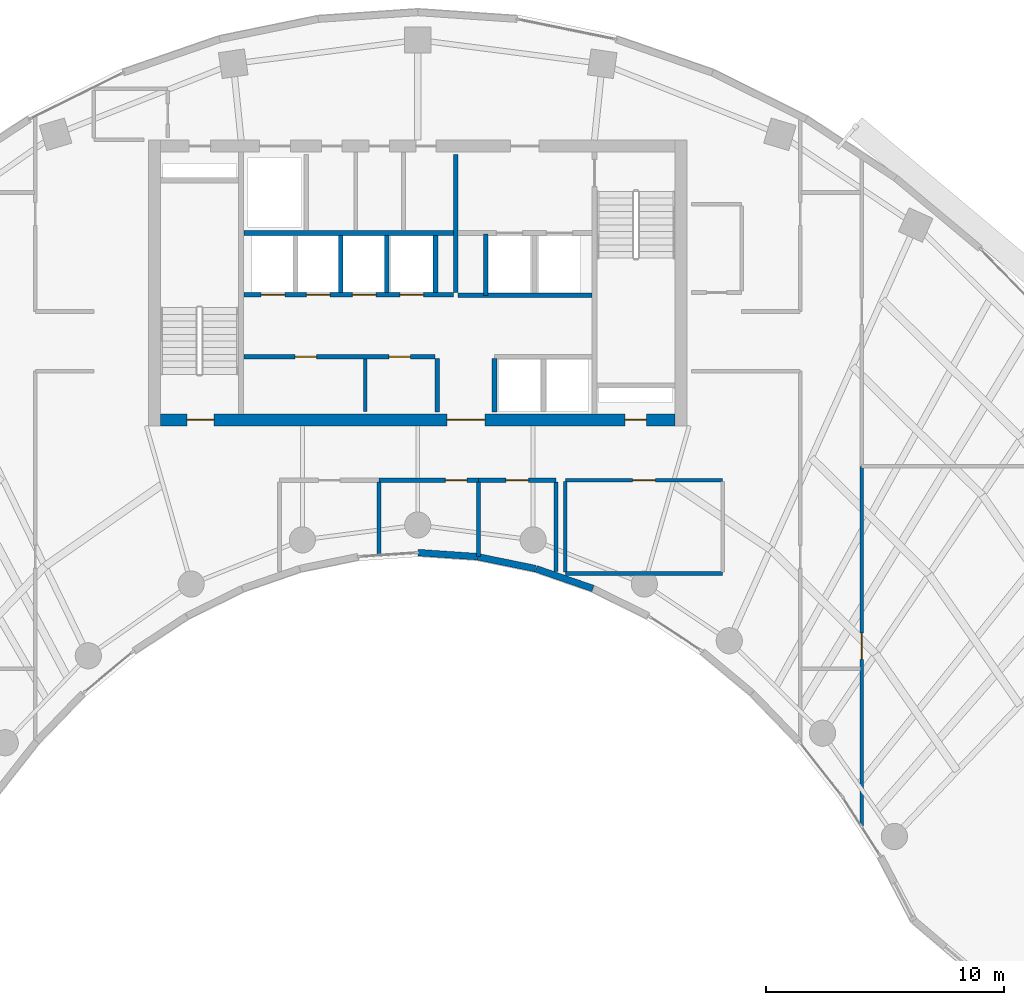
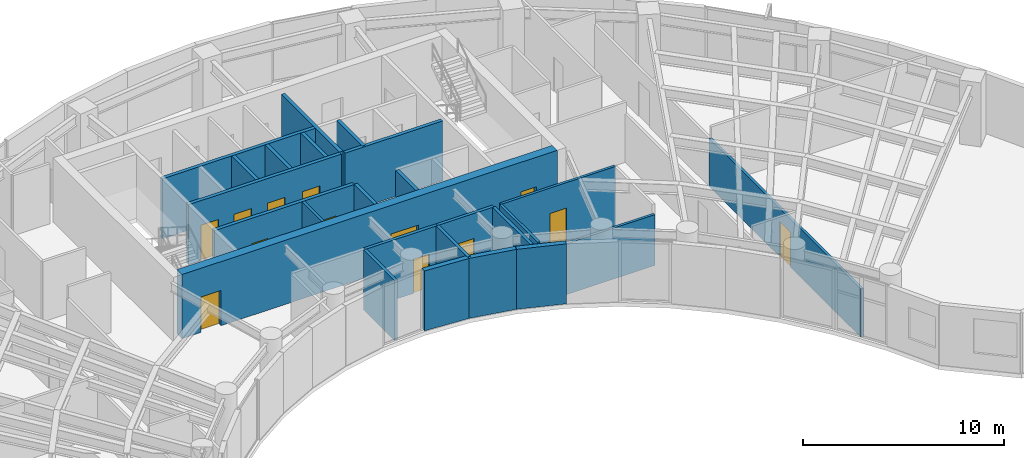
# One storey, part 8 of 13: 25 walls, 13 doors, 13 openings.
"""IFC4 building model written with IfcOpenShell, lengths in metres."""

from ifc_helpers import new_model, si_unit, direction, frame, frame_2d, origin, place, context, subcontext, project, spatial, rectangle, extrude, source, transform, mapped, material, layer, layer_set, type_object, type_shapes, element, fill, save


model = new_model("IFC4")

# Units and contexts
model_context = context("Model", 3, precision=1e-05, world=origin(), true_north=direction((0.0, 1.0)))
body_context = subcontext(model_context, "Body", "Model", "MODEL_VIEW")
ifc_project = project(units=[si_unit("LENGTHUNIT", "METRE"), si_unit("AREAUNIT", "SQUARE_METRE"), si_unit("VOLUMEUNIT", "CUBIC_METRE"), si_unit("PLANEANGLEUNIT", "RADIAN"), si_unit("MASSUNIT", "GRAM", prefix="KILO")], contexts=[model_context])

# Site, building, storey
site_placement = place(None, origin())
site = spatial("IfcSite", under=ifc_project, at=site_placement, CompositionType="ELEMENT")
building_placement = place(site_placement, origin())
building = spatial("IfcBuilding", under=site, at=building_placement, Name="Breltana Convention Tower", CompositionType="ELEMENT")
storey_placement = place(building_placement, frame((0.0, 0.0, 142.800048828125)))
storey = spatial("IfcBuildingStorey", under=building, at=storey_placement, Name="L34", CompositionType="ELEMENT", Elevation=142.800048828125)

# Wall, openings, doors
ifc_material_1 = material(Name="Concrete C60/75", Category="concrete")
ifc_layer_1 = layer(ifc_material_1, 0.5, Name="Concrete C60/75")
ifc_layer_set_1 = layer_set([ifc_layer_1], Name="Concrete C60/75")
wall_type_1 = type_object("IfcWallType", Name="SW-CORE-500", PredefinedType="SHEAR", material=ifc_layer_set_1)
shared_shape_1 = source(origin(), body_context, "Body", "SweptSolid", [
    extrude(rectangle(XDim=21.60009765625, YDim=0.5, at=frame_2d((10.800048828125, 0.0))), origin(), (0.0, 0.0, 1.0), 3.89990234375),
])
wall_1_placement = place(storey_placement, frame((37.199951171875, 60.449951171875, 0.0), z_axis=(0.0, 0.0, 1.0), x_axis=(1.0, 0.0, 0.0)))
wall_1 = element("IfcWall", 1, at=wall_1_placement, inside=storey, type_object=wall_type_1, Name="L34 South Core Shear Wall", PredefinedType="SHEAR", context=body_context, shape_type="MappedRepresentation", body=[
    mapped(shared_shape_1, transform((0.0, 0.0, 0.0), scale=1.0)),
])
opening_1_placement = place(wall_1_placement, frame((1.10009765625, 0.0, 0.0)))
opening_1 = element("IfcOpeningElement", 2, at=opening_1_placement, cuts=wall_1, Name="Opening D-11", PredefinedType="OPENING", context=body_context, shape_type="SweptSolid", body=[
    extrude(rectangle(XDim=1.14990234375, YDim=2.14990234375, at=frame_2d((0.574951171875, 1.074951171875))), frame((0.0, 0.260009765625, 0.0), z_axis=(0.0, -1.0, 0.0), x_axis=(1.0, 0.0, 0.0)), (0.0, 0.0, 1.0), 0.52001953125),
])
opening_2_placement = place(wall_1_placement, frame((19.5, 0.0, 0.0)))
opening_2 = element("IfcOpeningElement", 3, at=opening_2_placement, cuts=wall_1, Name="Opening D-18", PredefinedType="OPENING", context=body_context, shape_type="SweptSolid", body=[
    extrude(rectangle(XDim=0.89990234375, YDim=2.10009765625, at=frame_2d((0.449951171875, 1.050048828125))), frame((0.0, 0.260009765625, 0.0), z_axis=(0.0, -1.0, 0.0), x_axis=(1.0, 0.0, 0.0)), (0.0, 0.0, 1.0), 0.52001953125),
])
opening_3_placement = place(wall_1_placement, frame((12.02001953125, 0.0, 0.0)))
opening_3 = element("IfcOpeningElement", 4, at=opening_3_placement, cuts=wall_1, Name="Opening D-02", PredefinedType="OPENING", context=body_context, shape_type="SweptSolid", body=[
    extrude(rectangle(XDim=1.60009765625, YDim=2.14990234375, at=frame_2d((0.800048828125, 1.074951171875))), frame((0.0, 0.260009765625, 0.0), z_axis=(0.0, -1.0, 0.0), x_axis=(1.0, 0.0, 0.0)), (0.0, 0.0, 1.0), 0.52001953125),
])
ifc_material_2 = material(Name="Steel Stair Exit Door", Category="steel")
door_type_1 = type_object("IfcDoorType", Name="DR-FD120-1150", OperationType="NOTDEFINED", PredefinedType="DOOR", material=ifc_material_2)
shared_shape_2 = source(origin(), body_context, "Body", "SweptSolid", [
    extrude(rectangle(XDim=1.14990234375, YDim=2.14990234375, at=frame_2d((0.574951171875, 1.074951171875))), frame((0.0, 0.02490234375, 0.0), z_axis=(0.0, -1.0, 0.0), x_axis=(1.0, 0.0, 0.0)), (0.0, 0.0, 1.0), 0.050048828125),
])
type_shapes(door_type_1, [shared_shape_2])
door_1_placement = place(opening_1_placement, origin())
door_1 = element("IfcDoor", 5, at=door_1_placement, inside=storey, type_object=door_type_1, Name="L34 interior door D-L34-ST1", OperationType="SINGLE_SWING_LEFT", OverallHeight=2.14990234375, OverallWidth=1.14990234375, PredefinedType="DOOR", context=body_context, shape_type="MappedRepresentation", body=[
    mapped(shared_shape_2, transform((0.0, 0.0, 0.0), scale=1.0)),
])
fill(opening_1, door_1)
ifc_material_3 = material(Name="Steel Riser Fire Door", Category="steel")
door_type_2 = type_object("IfcDoorType", Name="DR-FD60-900", OperationType="NOTDEFINED", PredefinedType="DOOR", material=ifc_material_3)
shared_shape_3 = source(origin(), body_context, "Body", "SweptSolid", [
    extrude(rectangle(XDim=0.89990234375, YDim=2.10009765625, at=frame_2d((0.449951171875, 1.050048828125))), frame((0.0, 0.02490234375, 0.0), z_axis=(0.0, -1.0, 0.0), x_axis=(1.0, 0.0, 0.0)), (0.0, 0.0, 1.0), 0.050048828125),
])
type_shapes(door_type_2, [shared_shape_3])
door_2_placement = place(opening_2_placement, origin())
door_2 = element("IfcDoor", 6, at=door_2_placement, inside=storey, type_object=door_type_2, Name="L34 Core Riser Access Door D-L34-RS2", OperationType="SINGLE_SWING_RIGHT", OverallHeight=2.10009765625, OverallWidth=0.89990234375, PredefinedType="DOOR", context=body_context, shape_type="MappedRepresentation", body=[
    mapped(shared_shape_3, transform((0.0, 0.0, 0.0), scale=1.0)),
])
fill(opening_2, door_2)
ifc_material_4 = material(Name="Steel Glazed Smoke-Control Door", Category="steel")
door_type_3 = type_object("IfcDoorType", Name="DR-DBL-FD90-1600", OperationType="DOUBLE_DOOR_SINGLE_SWING", PredefinedType="DOOR", material=ifc_material_4)
shared_shape_4 = source(origin(), body_context, "Body", "SweptSolid", [
    extrude(rectangle(XDim=1.60009765625, YDim=2.14990234375, at=frame_2d((0.800048828125, 1.074951171875))), frame((0.0, 0.02490234375, 0.0), z_axis=(0.0, -1.0, 0.0), x_axis=(1.0, 0.0, 0.0)), (0.0, 0.0, 1.0), 0.050048828125),
])
type_shapes(door_type_3, [shared_shape_4])
door_3_placement = place(opening_3_placement, origin())
door_3 = element("IfcDoor", 7, at=door_3_placement, inside=storey, type_object=door_type_3, Name="L34 interior door D-L34-LLB-S", OperationType="DOUBLE_DOOR_SINGLE_SWING", OverallHeight=2.14990234375, OverallWidth=1.60009765625, PredefinedType="DOOR", context=body_context, shape_type="MappedRepresentation", body=[
    mapped(shared_shape_4, transform((0.0, 0.0, 0.0), scale=1.0)),
])
fill(opening_3, door_3)

# Walls
ifc_material_5 = material(Name="Limestone Buff Insulated Wall", Category="masonry")
ifc_layer_2 = layer(ifc_material_5, 0.280029296875, Name="Limestone Buff Insulated Wall")
ifc_layer_set_2 = layer_set([ifc_layer_2], Name="Limestone Buff Insulated Wall")
wall_type_2 = type_object("IfcWallType", Name="WL-EXT-NOSE-280", PredefinedType="SOLIDWALL", material=ifc_layer_set_2)
shared_shape_5 = source(origin(), body_context, "Body", "SweptSolid", [
    extrude(rectangle(XDim=2.52978515625, YDim=0.280029296875, at=frame_2d((1.264892578125, 0.0))), origin(), (0.0, 0.0, 1.0), 3.64990234375),
])
wall_2_placement = place(storey_placement, frame((55.35546875, 53.369873046875, 0.0), z_axis=(0.0, 0.0, 1.0), x_axis=(-0.944872429646, 0.327438683872, 0.0)))
element("IfcWall", 8, at=wall_2_placement, inside=storey, type_object=wall_type_2, Name="L34 curved limestone nose wall E10", PredefinedType="SOLIDWALL", context=body_context, shape_type="MappedRepresentation", body=[
    mapped(shared_shape_5, transform((0.0, 0.0, 0.0), scale=1.0)),
])
shared_shape_6 = source(origin(), body_context, "Body", "SweptSolid", [
    extrude(rectangle(XDim=2.4912109375, YDim=0.280029296875, at=frame_2d((1.24560546875, 0.0))), origin(), (0.0, 0.0, 1.0), 3.64990234375),
])
wall_3_placement = place(storey_placement, frame((52.9423828125, 54.20458984375, 0.0), z_axis=(0.0, 0.0, 1.0), x_axis=(-0.979630885979, 0.200806691214, 0.0)))
element("IfcWall", 9, at=wall_3_placement, inside=storey, type_object=wall_type_2, Name="L34 curved limestone nose wall E11", PredefinedType="SOLIDWALL", context=body_context, shape_type="MappedRepresentation", body=[
    mapped(shared_shape_6, transform((0.0, 0.0, 0.0), scale=1.0)),
])
shared_shape_7 = source(origin(), body_context, "Body", "SweptSolid", [
    extrude(rectangle(XDim=2.471435546875, YDim=0.280029296875, at=frame_2d((1.23583984375, 0.0))), origin(), (0.0, 0.0, 1.0), 3.64990234375),
])
wall_4_placement = place(storey_placement, frame((50.47802734375, 54.708251953125, 0.0), z_axis=(0.0, 0.0, 1.0), x_axis=(-0.997708006929, 0.067666335123, 0.0)))
element("IfcWall", 10, at=wall_4_placement, inside=storey, type_object=wall_type_2, Name="L34 curved limestone nose wall E12", PredefinedType="SOLIDWALL", context=body_context, shape_type="MappedRepresentation", body=[
    mapped(shared_shape_7, transform((0.0, 0.0, 0.0), scale=1.0)),
])
ifc_material_6 = material(Name="Autoclaved Aerated Concrete Block", Category="concrete")
ifc_layer_3 = layer(ifc_material_6, 0.199951171875, Name="Autoclaved Aerated Concrete Block")
ifc_layer_set_3 = layer_set([ifc_layer_3], Name="Autoclaved Aerated Concrete Block")
wall_type_3 = type_object("IfcWallType", Name="WL-SHAFT-200", PredefinedType="SOLIDWALL", material=ifc_layer_set_3)
shared_shape_8 = source(origin(), body_context, "Body", "SweptSolid", [
    extrude(rectangle(XDim=2.239990234375, YDim=0.199951171875, at=frame_2d((1.1201171875, 0.0))), origin(), (0.0, 0.0, 1.0), 3.64990234375),
])
for number, where, z_axis, x_axis, name in (
    (11, (48.820068359375, 60.780029296875, 0.0), (0.0, 0.0, 1.0), (0.0, 1.0, 0.0), "L34 interior partition W-L34-PORT-W"),
    (12, (51.219970703125, 60.780029296875, 0.0), (0.0, 0.0, 1.0), (0.0, 1.0, 0.0), "L34 interior partition W-L34-PORT-E"),
):
    element("IfcWall", number, at=place(storey_placement, frame(where, z_axis=z_axis, x_axis=x_axis)), inside=storey, type_object=wall_type_3, Name=name, PredefinedType="SOLIDWALL", context=body_context, shape_type="MappedRepresentation", body=[
        mapped(shared_shape_8, transform((0.0, 0.0, 0.0), scale=1.0)),
    ])
shared_shape_9 = source(origin(), body_context, "Body", "SweptSolid", [
    extrude(rectangle(XDim=5.6201171875, YDim=0.199951171875, at=frame_2d((2.81005859375, 0.0))), origin(), (0.0, 0.0, 1.0), 3.64990234375),
])
wall_5_placement = place(storey_placement, frame((49.699951171875, 65.679931640625, 0.0), z_axis=(0.0, 0.0, 1.0), x_axis=(1.0, 0.0, 0.0)))
element("IfcWall", 13, at=wall_5_placement, inside=storey, type_object=wall_type_3, Name="L34 interior partition W-L34-FL-S", PredefinedType="SOLIDWALL", context=body_context, shape_type="MappedRepresentation", body=[
    mapped(shared_shape_9, transform((0.0, 0.0, 0.0), scale=1.0)),
])
shared_shape_10 = source(origin(), body_context, "Body", "SweptSolid", [
    extrude(rectangle(XDim=5.800048828125, YDim=0.199951171875, at=frame_2d((2.89990234375, 0.0))), origin(), (0.0, 0.0, 1.0), 3.64990234375),
])
wall_6_placement = place(storey_placement, frame((49.60009765625, 65.800048828125, 0.0), z_axis=(0.0, 0.0, 1.0), x_axis=(0.0, 1.0, 0.0)))
element("IfcWall", 14, at=wall_6_placement, inside=storey, type_object=wall_type_3, Name="L34 interior partition W-L34-FFL-W", PredefinedType="SOLIDWALL", context=body_context, shape_type="MappedRepresentation", body=[
    mapped(shared_shape_10, transform((0.0, 0.0, 0.0), scale=1.0)),
])
shared_shape_11 = source(origin(), body_context, "Body", "SweptSolid", [
    extrude(rectangle(XDim=2.580078125, YDim=0.199951171875, at=frame_2d((1.2900390625, 0.0))), origin(), (0.0, 0.0, 1.0), 3.64990234375),
])
wall_7_placement = place(storey_placement, frame((50.85009765625, 65.679931640625, 0.0), z_axis=(0.0, 0.0, 1.0), x_axis=(0.0, 1.0, 0.0)))
element("IfcWall", 15, at=wall_7_placement, inside=storey, type_object=wall_type_3, Name="L34 interior partition W-L34-FL-W", PredefinedType="SOLIDWALL", context=body_context, shape_type="MappedRepresentation", body=[
    mapped(shared_shape_11, transform((0.0, 0.0, 0.0), scale=1.0)),
])
shared_shape_12 = source(origin(), body_context, "Body", "SweptSolid", [
    extrude(rectangle(XDim=2.39990234375, YDim=0.199951171875, at=frame_2d((1.199951171875, 0.0))), origin(), (0.0, 0.0, 1.0), 3.64990234375),
])
for number, where, z_axis, x_axis, name in (
    (16, (48.75, 65.800048828125, 0.0), (0.0, 0.0, 1.0), (0.0, 1.0, 0.0), "L34 interior partition W-L34-SH-M-END"),
    (17, (44.77001953125, 65.800048828125, 0.0), (0.0, 0.0, 1.0), (0.0, 1.0, 0.0), "L34 interior partition W-L34-SH-M-DIV2"),
    (18, (46.699951171875, 65.800048828125, 0.0), (0.0, 0.0, 1.0), (0.0, 1.0, 0.0), "L34 interior partition W-L34-SH-M-DIV3"),
):
    element("IfcWall", number, at=place(storey_placement, frame(where, z_axis=z_axis, x_axis=x_axis)), inside=storey, type_object=wall_type_3, Name=name, PredefinedType="SOLIDWALL", context=body_context, shape_type="MappedRepresentation", body=[
        mapped(shared_shape_12, transform((0.0, 0.0, 0.0), scale=1.0)),
    ])
shared_shape_13 = source(origin(), body_context, "Body", "SweptSolid", [
    extrude(rectangle(XDim=8.800048828125, YDim=0.199951171875, at=frame_2d((4.39990234375, 0.0))), origin(), (0.0, 0.0, 1.0), 3.64990234375),
])
wall_8_placement = place(storey_placement, frame((40.699951171875, 68.300048828125, 0.0), z_axis=(0.0, 0.0, 1.0), x_axis=(1.0, 0.0, 0.0)))
element("IfcWall", 19, at=wall_8_placement, inside=storey, type_object=wall_type_3, Name="L34 interior partition W-L34-SV-S", PredefinedType="SOLIDWALL", context=body_context, shape_type="MappedRepresentation", body=[
    mapped(shared_shape_13, transform((0.0, 0.0, 0.0), scale=1.0)),
])

# Wall, openings, doors
wall_9_placement = place(storey_placement, frame((40.699951171875, 65.699951171875, 0.0), z_axis=(0.0, 0.0, 1.0), x_axis=(1.0, 0.0, 0.0)))
wall_9 = element("IfcWall", 20, at=wall_9_placement, inside=storey, type_object=wall_type_3, Name="L34 interior partition W-L34-SH-M-FRONT", PredefinedType="SOLIDWALL", context=body_context, shape_type="MappedRepresentation", body=[
    mapped(shared_shape_13, transform((0.0, 0.0, 0.0), scale=1.0)),
])
opening_4_placement = place(wall_9_placement, frame((0.719970703125, 0.0, 0.0)))
opening_4 = element("IfcOpeningElement", 21, at=opening_4_placement, cuts=wall_9, Name="Opening LD-04", PredefinedType="OPENING", context=body_context, shape_type="SweptSolid", body=[
    extrude(rectangle(XDim=1.0, YDim=2.14990234375, at=frame_2d((0.5, 1.074951171875))), frame((0.0, 0.10986328125, 0.0), z_axis=(0.0, -1.0, 0.0), x_axis=(1.0, 0.0, 0.0)), (0.0, 0.0, 1.0), 0.219970703125),
])
opening_5_placement = place(wall_9_placement, frame((2.6201171875, 0.0, 0.0)))
opening_5 = element("IfcOpeningElement", 22, at=opening_5_placement, cuts=wall_9, Name="Opening LD-04", PredefinedType="OPENING", context=body_context, shape_type="SweptSolid", body=[
    extrude(rectangle(XDim=1.0, YDim=2.14990234375, at=frame_2d((0.5, 1.074951171875))), frame((0.0, 0.10986328125, 0.0), z_axis=(0.0, -1.0, 0.0), x_axis=(1.0, 0.0, 0.0)), (0.0, 0.0, 1.0), 0.219970703125),
])
opening_6_placement = place(wall_9_placement, frame((4.550048828125, 0.0, 0.0)))
opening_6 = element("IfcOpeningElement", 23, at=opening_6_placement, cuts=wall_9, Name="Opening LD-04", PredefinedType="OPENING", context=body_context, shape_type="SweptSolid", body=[
    extrude(rectangle(XDim=1.0, YDim=2.14990234375, at=frame_2d((0.5, 1.074951171875))), frame((0.0, 0.10986328125, 0.0), z_axis=(0.0, -1.0, 0.0), x_axis=(1.0, 0.0, 0.0)), (0.0, 0.0, 1.0), 0.219970703125),
])
opening_7_placement = place(wall_9_placement, frame((6.550048828125, 0.0, 0.0)))
opening_7 = element("IfcOpeningElement", 24, at=opening_7_placement, cuts=wall_9, Name="Opening LD-04", PredefinedType="OPENING", context=body_context, shape_type="SweptSolid", body=[
    extrude(rectangle(XDim=1.0, YDim=2.14990234375, at=frame_2d((0.5, 1.074951171875))), frame((0.0, 0.10986328125, 0.0), z_axis=(0.0, -1.0, 0.0), x_axis=(1.0, 0.0, 0.0)), (0.0, 0.0, 1.0), 0.219970703125),
])
ifc_material_7 = material(Name="Stainless Steel Brushed", Category="steel")
door_type_4 = type_object("IfcDoorType", Name="DR-LD-PAX-1000", OperationType="DOUBLE_DOOR_SLIDING", PredefinedType="DOOR", material=ifc_material_7)
shared_shape_14 = source(origin(), body_context, "Body", "SweptSolid", [
    extrude(rectangle(XDim=1.0, YDim=2.14990234375, at=frame_2d((0.5, 1.074951171875))), frame((0.0, 0.02490234375, 0.0), z_axis=(0.0, -1.0, 0.0), x_axis=(1.0, 0.0, 0.0)), (0.0, 0.0, 1.0), 0.050048828125),
])
type_shapes(door_type_4, [shared_shape_14])
door_4_placement = place(opening_4_placement, origin())
door_4 = element("IfcDoor", 25, at=door_4_placement, inside=storey, type_object=door_type_4, Name="L34 Lift Landing Door D-L34-LD-M1", OperationType="DOUBLE_DOOR_SLIDING", OverallHeight=2.14990234375, OverallWidth=1.0, PredefinedType="DOOR", context=body_context, shape_type="MappedRepresentation", body=[
    mapped(shared_shape_14, transform((0.0, 0.0, 0.0), scale=1.0)),
])
fill(opening_4, door_4)
door_5_placement = place(opening_5_placement, origin())
door_5 = element("IfcDoor", 26, at=door_5_placement, inside=storey, type_object=door_type_4, Name="L34 Lift Landing Door D-L34-LD-M2", OperationType="DOUBLE_DOOR_SLIDING", OverallHeight=2.14990234375, OverallWidth=1.0, PredefinedType="DOOR", context=body_context, shape_type="MappedRepresentation", body=[
    mapped(shared_shape_14, transform((0.0, 0.0, 0.0), scale=1.0)),
])
fill(opening_5, door_5)
door_6_placement = place(opening_6_placement, origin())
door_6 = element("IfcDoor", 27, at=door_6_placement, inside=storey, type_object=door_type_4, Name="L34 Lift Landing Door D-L34-LD-M3", OperationType="DOUBLE_DOOR_SLIDING", OverallHeight=2.14990234375, OverallWidth=1.0, PredefinedType="DOOR", context=body_context, shape_type="MappedRepresentation", body=[
    mapped(shared_shape_14, transform((0.0, 0.0, 0.0), scale=1.0)),
])
fill(opening_6, door_6)
door_7_placement = place(opening_7_placement, origin())
door_7 = element("IfcDoor", 28, at=door_7_placement, inside=storey, type_object=door_type_4, Name="L34 Lift Landing Door D-L34-LD-M4", OperationType="DOUBLE_DOOR_SLIDING", OverallHeight=2.14990234375, OverallWidth=1.0, PredefinedType="DOOR", context=body_context, shape_type="MappedRepresentation", body=[
    mapped(shared_shape_14, transform((0.0, 0.0, 0.0), scale=1.0)),
])
fill(opening_7, door_7)

shared_shape_15 = source(origin(), body_context, "Body", "SweptSolid", [
    extrude(rectangle(XDim=8.02001953125, YDim=0.199951171875, at=frame_2d((4.010009765625, 0.0))), origin(), (0.0, 0.0, 1.0), 3.64990234375),
])
wall_10_placement = place(storey_placement, frame((40.699951171875, 63.10009765625, 0.0), z_axis=(0.0, 0.0, 1.0), x_axis=(1.0, 0.0, 0.0)))
wall_10 = element("IfcWall", 29, at=wall_10_placement, inside=storey, type_object=wall_type_3, Name="L34 interior partition W-L34-SH-S-FRONT", PredefinedType="SOLIDWALL", context=body_context, shape_type="MappedRepresentation", body=[
    mapped(shared_shape_15, transform((0.0, 0.0, 0.0), scale=1.0)),
])
opening_8_placement = place(wall_10_placement, frame((2.14990234375, 0.0, 0.0)))
opening_8 = element("IfcOpeningElement", 30, at=opening_8_placement, cuts=wall_10, Name="Opening D-18", PredefinedType="OPENING", context=body_context, shape_type="SweptSolid", body=[
    extrude(rectangle(XDim=0.89990234375, YDim=2.10009765625, at=frame_2d((0.449951171875, 1.050048828125))), frame((0.0, 0.10986328125, 0.0), z_axis=(0.0, -1.0, 0.0), x_axis=(1.0, 0.0, 0.0)), (0.0, 0.0, 1.0), 0.219970703125),
])
opening_9_placement = place(wall_10_placement, frame((6.090087890625, 0.0, 0.0)))
opening_9 = element("IfcOpeningElement", 31, at=opening_9_placement, cuts=wall_10, Name="Opening D-18", PredefinedType="OPENING", context=body_context, shape_type="SweptSolid", body=[
    extrude(rectangle(XDim=0.89990234375, YDim=2.10009765625, at=frame_2d((0.449951171875, 1.050048828125))), frame((0.0, 0.10986328125, 0.0), z_axis=(0.0, -1.0, 0.0), x_axis=(1.0, 0.0, 0.0)), (0.0, 0.0, 1.0), 0.219970703125),
])
door_8_placement = place(opening_8_placement, origin())
door_8 = element("IfcDoor", 32, at=door_8_placement, inside=storey, type_object=door_type_2, Name="L34 interior door D-L34-LV7-B1A", OperationType="SINGLE_SWING_LEFT", OverallHeight=2.10009765625, OverallWidth=0.89990234375, PredefinedType="DOOR", context=body_context, shape_type="MappedRepresentation", body=[
    mapped(shared_shape_3, transform((0.0, 0.0, 0.0), scale=1.0)),
])
fill(opening_8, door_8)
door_9_placement = place(opening_9_placement, origin())
door_9 = element("IfcDoor", 33, at=door_9_placement, inside=storey, type_object=door_type_2, Name="L34 interior door D-L34-LV7-B1B", OperationType="SINGLE_SWING_RIGHT", OverallHeight=2.10009765625, OverallWidth=0.89990234375, PredefinedType="DOOR", context=body_context, shape_type="MappedRepresentation", body=[
    mapped(shared_shape_3, transform((0.0, 0.0, 0.0), scale=1.0)),
])
fill(opening_9, door_9)

# Wall, opening, door
ifc_material_8 = material(Name="Moisture-Resistant Gypsum Chase Wall")
ifc_layer_4 = layer(ifc_material_8, 0.179931640625, Name="Moisture-Resistant Gypsum Chase Wall")
ifc_layer_set_4 = layer_set([ifc_layer_4], Name="Moisture-Resistant Gypsum Chase Wall")
wall_type_4 = type_object("IfcWallType", Name="WL-PLUMB-180", PredefinedType="PLUMBINGWALL", material=ifc_layer_set_4)
shared_shape_16 = source(origin(), body_context, "Body", "SweptSolid", [
    extrude(rectangle(XDim=4.176025390625, YDim=0.179931640625, at=frame_2d((2.087890625, 0.0))), origin(), (0.0, 0.0, 1.0), 3.64990234375),
])
wall_11_placement = place(storey_placement, frame((46.3759765625, 57.919921875, 0.0), z_axis=(0.0, 0.0, 1.0), x_axis=(1.0, 0.0, 0.0)))
wall_11 = element("IfcWall", 34, at=wall_11_placement, inside=storey, type_object=wall_type_4, Name="L34 interior partition W-L34-WCF-N", PredefinedType="PLUMBINGWALL", context=body_context, shape_type="MappedRepresentation", body=[
    mapped(shared_shape_16, transform((0.0, 0.0, 0.0), scale=1.0)),
])
opening_10_placement = place(wall_11_placement, frame((2.7880859375, 0.0, 0.0)))
opening_10 = element("IfcOpeningElement", 35, at=opening_10_placement, cuts=wall_11, Name="Opening D-19", PredefinedType="OPENING", context=body_context, shape_type="SweptSolid", body=[
    extrude(rectangle(XDim=0.89990234375, YDim=2.080078125, at=frame_2d((0.449951171875, 1.0400390625))), frame((0.0, 0.10009765625, 0.0), z_axis=(0.0, -1.0, 0.0), x_axis=(1.0, 0.0, 0.0)), (0.0, 0.0, 1.0), 0.199951171875),
])
ifc_material_9 = material(Name="Timber Moisture-Resistant Door", Category="wood")
door_type_5 = type_object("IfcDoorType", Name="DR-WC-900", OperationType="NOTDEFINED", PredefinedType="DOOR", material=ifc_material_9)
shared_shape_17 = source(origin(), body_context, "Body", "SweptSolid", [
    extrude(rectangle(XDim=0.89990234375, YDim=2.080078125, at=frame_2d((0.449951171875, 1.0400390625))), frame((0.0, 0.02490234375, 0.0), z_axis=(0.0, -1.0, 0.0), x_axis=(1.0, 0.0, 0.0)), (0.0, 0.0, 1.0), 0.050048828125),
])
type_shapes(door_type_5, [shared_shape_17])
door_10_placement = place(opening_10_placement, origin())
door_10 = element("IfcDoor", 36, at=door_10_placement, inside=storey, type_object=door_type_5, Name="L34 interior door D-L34-WCF", OperationType="SINGLE_SWING_RIGHT", OverallHeight=2.080078125, OverallWidth=0.89990234375, PredefinedType="DOOR", context=body_context, shape_type="MappedRepresentation", body=[
    mapped(shared_shape_17, transform((0.0, 0.0, 0.0), scale=1.0)),
])
fill(opening_10, door_10)

# Wall
ifc_material_10 = material(Name="Cement Board Wet-Area Partition")
ifc_layer_5 = layer(ifc_material_10, 0.175048828125, Name="Cement Board Wet-Area Partition")
ifc_layer_set_5 = layer_set([ifc_layer_5], Name="Cement Board Wet-Area Partition")
wall_type_5 = type_object("IfcWallType", Name="WL-WET-175", PredefinedType="PARTITIONING", material=ifc_layer_set_5)
shared_shape_18 = source(origin(), body_context, "Body", "SweptSolid", [
    extrude(rectangle(XDim=3.7626953125, YDim=0.175048828125, at=frame_2d((1.88134765625, 0.0))), origin(), (0.0, 0.0, 1.0), 3.64990234375),
])
wall_12_placement = place(storey_placement, frame((53.800048828125, 54.07861328125, 0.0), z_axis=(0.0, 0.0, 1.0), x_axis=(0.0, 1.0, 0.0)))
element("IfcWall", 37, at=wall_12_placement, inside=storey, type_object=wall_type_5, Name="L34 interior partition W-L34-WCA-E", PredefinedType="PARTITIONING", context=body_context, shape_type="MappedRepresentation", body=[
    mapped(shared_shape_18, transform((0.0, 0.0, 0.0), scale=1.0)),
])

# Wall, opening, door
shared_shape_19 = source(origin(), body_context, "Body", "SweptSolid", [
    extrude(rectangle(XDim=3.248046875, YDim=0.179931640625, at=frame_2d((1.6240234375, 0.0))), origin(), (0.0, 0.0, 1.0), 3.64990234375),
])
wall_13_placement = place(storey_placement, frame((50.552001953125, 57.919921875, 0.0), z_axis=(0.0, 0.0, 1.0), x_axis=(1.0, 0.0, 0.0)))
wall_13 = element("IfcWall", 38, at=wall_13_placement, inside=storey, type_object=wall_type_4, Name="L34 interior partition W-L34-WCA-N", PredefinedType="PLUMBINGWALL", context=body_context, shape_type="MappedRepresentation", body=[
    mapped(shared_shape_19, transform((0.0, 0.0, 0.0), scale=1.0)),
])
opening_11_placement = place(wall_13_placement, frame((1.14892578125, 0.0, 0.0)))
opening_11 = element("IfcOpeningElement", 39, at=opening_11_placement, cuts=wall_13, Name="Opening D-16", PredefinedType="OPENING", context=body_context, shape_type="SweptSolid", body=[
    extrude(rectangle(XDim=0.949951171875, YDim=2.1201171875, at=frame_2d((0.47509765625, 1.06005859375))), frame((0.0, 0.10009765625, 0.0), z_axis=(0.0, -1.0, 0.0), x_axis=(1.0, 0.0, 0.0)), (0.0, 0.0, 1.0), 0.199951171875),
])
ifc_material_11 = material(Name="Timber Laminate Accessible Door", Category="wood")
door_type_6 = type_object("IfcDoorType", Name="DR-ACC-950", OperationType="NOTDEFINED", PredefinedType="DOOR", material=ifc_material_11)
shared_shape_20 = source(origin(), body_context, "Body", "SweptSolid", [
    extrude(rectangle(XDim=0.949951171875, YDim=2.1201171875, at=frame_2d((0.47509765625, 1.06005859375))), frame((0.0, 0.02490234375, 0.0), z_axis=(0.0, -1.0, 0.0), x_axis=(1.0, 0.0, 0.0)), (0.0, 0.0, 1.0), 0.050048828125),
])
type_shapes(door_type_6, [shared_shape_20])
door_11_placement = place(opening_11_placement, origin())
door_11 = element("IfcDoor", 40, at=door_11_placement, inside=storey, type_object=door_type_6, Name="L34 interior door D-L34-WCA", OperationType="SINGLE_SWING_LEFT", OverallHeight=2.1201171875, OverallWidth=0.949951171875, PredefinedType="DOOR", context=body_context, shape_type="MappedRepresentation", body=[
    mapped(shared_shape_20, transform((0.0, 0.0, 0.0), scale=1.0)),
])
fill(opening_11, door_11)

# Wall
ifc_material_12 = material(Name="Gypsum Acoustic Drywall Partition")
ifc_layer_6 = layer(ifc_material_12, 0.14990234375, Name="Gypsum Acoustic Drywall Partition")
ifc_layer_set_6 = layer_set([ifc_layer_6], Name="Gypsum Acoustic Drywall Partition")
wall_type_6 = type_object("IfcWallType", Name="WL-PART-150", PredefinedType="PARTITIONING", material=ifc_layer_set_6)
shared_shape_21 = source(origin(), body_context, "Body", "SweptSolid", [
    extrude(rectangle(XDim=6.60009765625, YDim=0.14990234375, at=frame_2d((3.300048828125, 0.0))), origin(), (0.0, 0.0, 1.0), 3.094970703125),
])
wall_14_placement = place(storey_placement, frame((54.199951171875, 54.0, 0.0), z_axis=(0.0, 0.0, 1.0), x_axis=(1.0, 0.0, 0.0)))
element("IfcWall", 41, at=wall_14_placement, inside=storey, type_object=wall_type_6, Name="L34 interior partition W-L34-PNT-S", PredefinedType="PARTITIONING", context=body_context, shape_type="MappedRepresentation", body=[
    mapped(shared_shape_21, transform((0.0, 0.0, 0.0), scale=1.0)),
])

# Wall, opening, door
shared_shape_22 = source(origin(), body_context, "Body", "SweptSolid", [
    extrude(rectangle(XDim=6.60009765625, YDim=0.14990234375, at=frame_2d((3.300048828125, 0.0))), origin(), (0.0, 0.0, 1.0), 3.64990234375),
])
wall_15_placement = place(storey_placement, frame((54.199951171875, 57.919921875, 0.0), z_axis=(0.0, 0.0, 1.0), x_axis=(1.0, 0.0, 0.0)))
wall_15 = element("IfcWall", 42, at=wall_15_placement, inside=storey, type_object=wall_type_6, Name="L34 interior partition W-L34-PNT-N", PredefinedType="PARTITIONING", context=body_context, shape_type="MappedRepresentation", body=[
    mapped(shared_shape_22, transform((0.0, 0.0, 0.0), scale=1.0)),
])
opening_12_placement = place(wall_15_placement, frame((2.824951171875, 0.0, 0.0)))
opening_12 = element("IfcOpeningElement", 43, at=opening_12_placement, cuts=wall_15, Name="Opening D-17", PredefinedType="OPENING", context=body_context, shape_type="SweptSolid", body=[
    extrude(rectangle(XDim=0.949951171875, YDim=2.10009765625, at=frame_2d((0.47509765625, 1.050048828125))), frame((0.0, 0.0849609375, 0.0), z_axis=(0.0, -1.0, 0.0), x_axis=(1.0, 0.0, 0.0)), (0.0, 0.0, 1.0), 0.169921875),
])
ifc_material_13 = material(Name="Timber Oak Veneer Door", Category="wood")
door_type_7 = type_object("IfcDoorType", Name="DR-INT-950", OperationType="NOTDEFINED", PredefinedType="DOOR", material=ifc_material_13)
shared_shape_23 = source(origin(), body_context, "Body", "SweptSolid", [
    extrude(rectangle(XDim=0.949951171875, YDim=2.10009765625, at=frame_2d((0.47509765625, 1.050048828125))), frame((0.0, 0.02490234375, 0.0), z_axis=(0.0, -1.0, 0.0), x_axis=(1.0, 0.0, 0.0)), (0.0, 0.0, 1.0), 0.050048828125),
])
type_shapes(door_type_7, [shared_shape_23])
door_12_placement = place(opening_12_placement, origin())
door_12 = element("IfcDoor", 44, at=door_12_placement, inside=storey, type_object=door_type_7, Name="L34 interior door D-L34-PNT", OperationType="SINGLE_SWING_RIGHT", OverallHeight=2.10009765625, OverallWidth=0.949951171875, PredefinedType="DOOR", context=body_context, shape_type="MappedRepresentation", body=[
    mapped(shared_shape_23, transform((0.0, 0.0, 0.0), scale=1.0)),
])
fill(opening_12, door_12)

# Walls
shared_shape_24 = source(origin(), body_context, "Body", "SweptSolid", [
    extrude(rectangle(XDim=3.78515625, YDim=0.14990234375, at=frame_2d((1.892578125, 0.0))), origin(), (0.0, 0.0, 1.0), 3.64990234375),
])
wall_16_placement = place(storey_placement, frame((54.199951171875, 54.0673828125, 0.0), z_axis=(0.0, 0.0, 1.0), x_axis=(0.0, 1.0, 0.0)))
element("IfcWall", 45, at=wall_16_placement, inside=storey, type_object=wall_type_6, Name="L34 interior partition W-L34-PNT-W", PredefinedType="PARTITIONING", context=body_context, shape_type="MappedRepresentation", body=[
    mapped(shared_shape_24, transform((0.0, 0.0, 0.0), scale=1.0)),
])
shared_shape_25 = source(origin(), body_context, "Body", "SweptSolid", [
    extrude(rectangle(XDim=2.199951171875, YDim=0.14990234375, at=frame_2d((1.10009765625, 0.0))), origin(), (0.0, 0.0, 1.0), 3.64990234375),
])
wall_17_placement = place(storey_placement, frame((45.800048828125, 60.800048828125, 0.0), z_axis=(0.0, 0.0, 1.0), x_axis=(0.0, 1.0, 0.0)))
element("IfcWall", 46, at=wall_17_placement, inside=storey, type_object=wall_type_6, Name="L34 interior partition W-L34-LV7-B1-DIV", PredefinedType="PARTITIONING", context=body_context, shape_type="MappedRepresentation", body=[
    mapped(shared_shape_25, transform((0.0, 0.0, 0.0), scale=1.0)),
])
shared_shape_26 = source(origin(), body_context, "Body", "SweptSolid", [
    extrude(rectangle(XDim=3.065185546875, YDim=0.175048828125, at=frame_2d((1.53271484375, 0.0))), origin(), (0.0, 0.0, 1.0), 3.64990234375),
])
wall_18_placement = place(storey_placement, frame((46.3759765625, 54.776123046875, 0.0), z_axis=(0.0, 0.0, 1.0), x_axis=(0.0, 1.0, 0.0)))
element("IfcWall", 47, at=wall_18_placement, inside=storey, type_object=wall_type_5, Name="L34 interior partition W-L34-WCM-E", PredefinedType="PARTITIONING", context=body_context, shape_type="MappedRepresentation", body=[
    mapped(shared_shape_26, transform((0.0, 0.0, 0.0), scale=1.0)),
])
shared_shape_27 = source(origin(), body_context, "Body", "SweptSolid", [
    extrude(rectangle(XDim=3.136474609375, YDim=0.175048828125, at=frame_2d((1.568359375, 0.0))), origin(), (0.0, 0.0, 1.0), 3.64990234375),
])
wall_19_placement = place(storey_placement, frame((50.552001953125, 54.704833984375, 0.0), z_axis=(0.0, 0.0, 1.0), x_axis=(0.0, 1.0, 0.0)))
element("IfcWall", 48, at=wall_19_placement, inside=storey, type_object=wall_type_5, Name="L34 interior partition W-L34-WCF-E", PredefinedType="PARTITIONING", context=body_context, shape_type="MappedRepresentation", body=[
    mapped(shared_shape_27, transform((0.0, 0.0, 0.0), scale=1.0)),
])

# Wall, opening, door
shared_shape_28 = source(origin(), body_context, "Body", "SweptSolid", [
    extrude(rectangle(XDim=15.11181640625, YDim=0.14990234375, at=frame_2d((7.555908203125, 0.0))), origin(), (0.0, 0.0, 1.0), 2.94189453125),
])
wall_20_placement = place(storey_placement, frame((66.639892578125, 43.38818359375, 0.0), z_axis=(0.0, 0.0, 1.0), x_axis=(0.0, 1.0, 0.0)))
wall_20 = element("IfcWall", 49, at=wall_20_placement, inside=storey, type_object=wall_type_6, Name="L34 interior partition W-L34-ZE1-W", PredefinedType="PARTITIONING", context=body_context, shape_type="MappedRepresentation", body=[
    mapped(shared_shape_28, transform((0.0, 0.0, 0.0), scale=1.0)),
])
opening_13_placement = place(wall_20_placement, frame((7.005859375, 0.0, 0.0)))
opening_13 = element("IfcOpeningElement", 50, at=opening_13_placement, cuts=wall_20, Name="Opening D-12", PredefinedType="OPENING", context=body_context, shape_type="SweptSolid", body=[
    extrude(rectangle(XDim=1.10009765625, YDim=2.14990234375, at=frame_2d((0.550048828125, 1.074951171875))), frame((0.0, 0.0849609375, 0.0), z_axis=(0.0, -1.0, 0.0), x_axis=(1.0, 0.0, 0.0)), (0.0, 0.0, 1.0), 0.169921875),
])
ifc_material_14 = material(Name="Timber Oak Acoustic Door", Category="wood")
door_type_8 = type_object("IfcDoorType", Name="DR-INT-1100", OperationType="NOTDEFINED", PredefinedType="DOOR", material=ifc_material_14)
shared_shape_29 = source(origin(), body_context, "Body", "SweptSolid", [
    extrude(rectangle(XDim=1.10009765625, YDim=2.14990234375, at=frame_2d((0.550048828125, 1.074951171875))), frame((0.0, 0.02490234375, 0.0), z_axis=(0.0, -1.0, 0.0), x_axis=(1.0, 0.0, 0.0)), (0.0, 0.0, 1.0), 0.050048828125),
])
type_shapes(door_type_8, [shared_shape_29])
door_13_placement = place(opening_13_placement, origin())
door_13 = element("IfcDoor", 51, at=door_13_placement, inside=storey, type_object=door_type_8, Name="L34 interior door D-L34-ZE1", OperationType="SINGLE_SWING_RIGHT", OverallHeight=2.14990234375, OverallWidth=1.10009765625, PredefinedType="DOOR", context=body_context, shape_type="MappedRepresentation", body=[
    mapped(shared_shape_29, transform((0.0, 0.0, 0.0), scale=1.0)),
])
fill(opening_13, door_13)

save(model, "model.ifc")
